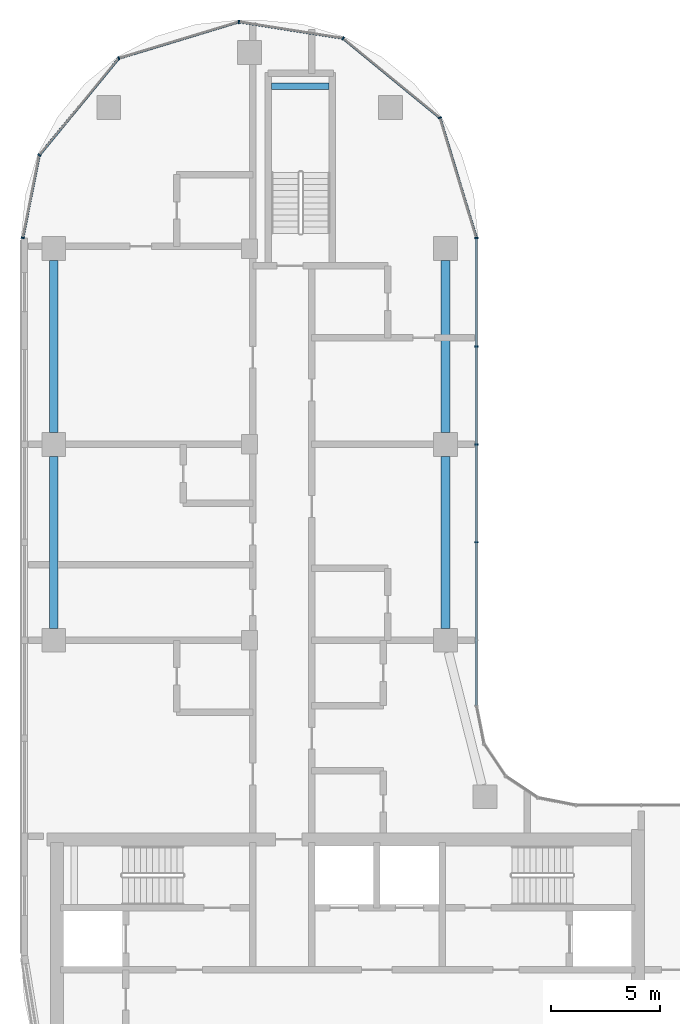
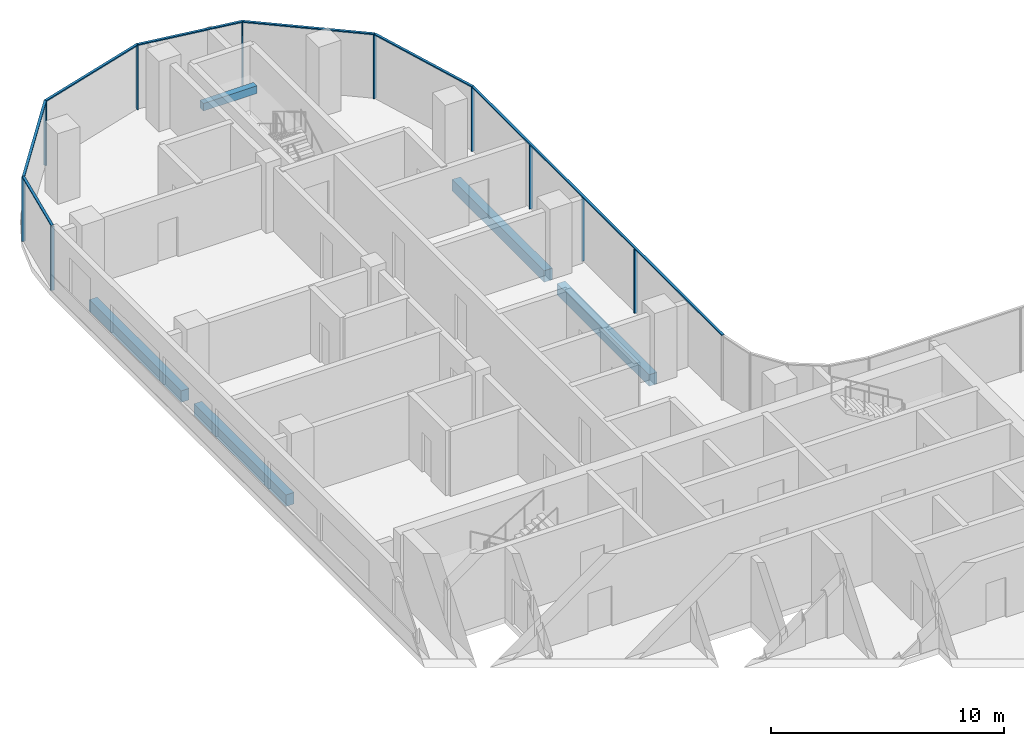
# One storey, part 5 of 23: 17 members, 5 beams, 2 elements without a shape of their own.
"""IFC4 building model written with IfcOpenShell, lengths in metres."""

from ifc_helpers import new_model, si_unit, direction, frame, origin, origin_2d, place, context, subcontext, project, spatial, rectangle, extrude, material, material_profile, profile_set, type_object, element, aggregate, save


model = new_model("IFC4")

# Units and contexts
model_context = context("Model", 3, precision=1e-05, world=origin(), true_north=direction((0.0, 1.0)))
body_context = subcontext(model_context, "Body", "Model", "MODEL_VIEW")
ifc_project = project(units=[si_unit("LENGTHUNIT", "METRE"), si_unit("AREAUNIT", "SQUARE_METRE"), si_unit("VOLUMEUNIT", "CUBIC_METRE"), si_unit("PLANEANGLEUNIT", "RADIAN"), si_unit("MASSUNIT", "GRAM", prefix="KILO")], contexts=[model_context])

# Site, building, storey
site_placement = place(None, origin())
site = spatial("IfcSite", under=ifc_project, at=site_placement, CompositionType="ELEMENT")
building_placement = place(site_placement, origin())
building = spatial("IfcBuilding", under=site, at=building_placement, Name="Ogive Portal Towers", CompositionType="ELEMENT")
storey_placement = place(building_placement, frame((0.0, 0.0, 149.60009765625)))
storey = spatial("IfcBuildingStorey", under=building, at=storey_placement, Name="L36", CompositionType="ELEMENT", Elevation=149.60009765625)

# Beam
ifc_material_1 = material(Name="Concrete C40/50", Category="concrete")
ifc_material_profile_1 = material_profile(ifc_material_1, rectangle(XDim=0.300048828125, YDim=0.39990234375, at=origin_2d()), Name="RC 300x400")
ifc_profile_set_1 = profile_set([ifc_material_profile_1], Name="Concrete C40/50")
beam_type_1 = type_object("IfcBeamType", Name="BEAM RC 300x400", PredefinedType="BEAM", material=ifc_profile_set_1)
beam_placement = place(storey_placement, frame((41.5, 73.949951171875, 1.449951171875), z_axis=(1.0, 0.0, 0.0), x_axis=(0.0, 1.0, 0.0)))
element("IfcBeam", 1, at=beam_placement, inside=storey, type_object=beam_type_1, Name="Landing beam L36", PredefinedType="BEAM", context=body_context, shape_type="SweptSolid", body=[
    extrude(rectangle(XDim=0.300048828125, YDim=0.39990234375, at=origin_2d()), origin(), (0.0, 0.0, 1.0), 2.64990234375),
])

# Curtain wall, members
ifc_material_2 = material(Name="Glass, clear low-iron insulated glazing", Category="glass")
curtain_wall_type = type_object("IfcCurtainWallType", Name="CW FRONT RIBBON 4500", PredefinedType="NOTDEFINED", material=ifc_material_2)
curtain_wall_1_placement = place(storey_placement, origin())
curtain_wall_1 = element("IfcCurtainWall", 2, at=curtain_wall_1_placement, inside=storey, type_object=curtain_wall_type, Name="A:L36:f13:cw0", PredefinedType="NOTDEFINED")
ifc_material_3 = material(Name="Aluminium 6063 anodised", Category="aluminium")
ifc_material_profile_2 = material_profile(ifc_material_3, rectangle(XDim=0.159912109375, YDim=0.06005859375, at=origin_2d()), Name="AL 60x160")
ifc_profile_set_2 = profile_set([ifc_material_profile_2], Name="Aluminium 6063 anodised")
member_type_1 = type_object("IfcMemberType", Name="CW MULLION 60x160", PredefinedType="MULLION", material=ifc_profile_set_2)
member_1_placement = place(storey_placement, frame((50.919921875, 53.0, 0.0), z_axis=(0.0, 0.0, 1.0), x_axis=(-1.0, 0.0, 0.0)))
member_1 = element("IfcMember", 3, at=member_1_placement, type_object=member_type_1, Name="mullion", PredefinedType="MULLION", context=body_context, shape_type="SweptSolid", body=[
    extrude(rectangle(XDim=0.159912109375, YDim=0.06005859375, at=origin_2d()), origin(), (0.0, 0.0, 1.0), 3.33984375),
])
member_2_placement = place(storey_placement, frame((50.919921875, 57.5, 0.0), z_axis=(0.0, 0.0, 1.0), x_axis=(-1.0, 0.0, 0.0)))
member_2 = element("IfcMember", 4, at=member_2_placement, type_object=member_type_1, Name="mullion", PredefinedType="MULLION", context=body_context, shape_type="SweptSolid", body=[
    extrude(rectangle(XDim=0.159912109375, YDim=0.06005859375, at=origin_2d()), origin(), (0.0, 0.0, 1.0), 3.33984375),
])
member_3_placement = place(storey_placement, frame((50.919921875, 62.0, 0.0), z_axis=(0.0, 0.0, 1.0), x_axis=(-1.0, 0.0, 0.0)))
member_3 = element("IfcMember", 5, at=member_3_placement, type_object=member_type_1, Name="mullion", PredefinedType="MULLION", context=body_context, shape_type="SweptSolid", body=[
    extrude(rectangle(XDim=0.159912109375, YDim=0.06005859375, at=origin_2d()), origin(), (0.0, 0.0, 1.0), 3.33984375),
])
member_4_placement = place(storey_placement, frame((50.919921875, 66.988037109375, 0.0), z_axis=(0.0, 0.0, 1.0), x_axis=(-1.0, 0.0, 0.0)))
member_4 = element("IfcMember", 6, at=member_4_placement, type_object=member_type_1, Name="mullion", PredefinedType="MULLION", context=body_context, shape_type="SweptSolid", body=[
    extrude(rectangle(XDim=0.159912109375, YDim=0.06005859375, at=origin_2d()), origin(), (0.0, 0.0, 1.0), 3.33984375),
])

curtain_wall_2_placement = place(storey_placement, origin())
curtain_wall_2 = element("IfcCurtainWall", 7, at=curtain_wall_2_placement, inside=storey, type_object=curtain_wall_type, Name="A:L36:f14:cwa", PredefinedType="NOTDEFINED")
member_5_placement = place(storey_placement, frame((49.2451171875, 72.50927734375, 0.0), z_axis=(0.0, 0.0, 1.0), x_axis=(-0.956940335732, -0.290284677254, 0.0)))
member_5 = element("IfcMember", 8, at=member_5_placement, type_object=member_type_1, Name="mullion", PredefinedType="MULLION", context=body_context, shape_type="SweptSolid", body=[
    extrude(rectangle(XDim=0.159912109375, YDim=0.06005859375, at=origin_2d()), origin(), (0.0, 0.0, 1.0), 3.33984375),
])
member_6_placement = place(storey_placement, frame((44.79296875, 76.1630859375, 0.0), z_axis=(0.0, 0.0, 1.0), x_axis=(-0.634393284164, -0.773010453363, 0.0)))
member_6 = element("IfcMember", 9, at=member_6_placement, type_object=member_type_1, Name="mullion", PredefinedType="MULLION", context=body_context, shape_type="SweptSolid", body=[
    extrude(rectangle(XDim=0.159912109375, YDim=0.06005859375, at=origin_2d()), origin(), (0.0, 0.0, 1.0), 3.33984375),
])
member_7_placement = place(storey_placement, frame((40.005615234375, 76.918212890625, 0.0), z_axis=(0.0, 0.0, 1.0), x_axis=(-0.155777466355, -0.987792174992, 0.0)))
member_7 = element("IfcMember", 10, at=member_7_placement, type_object=member_type_1, Name="mullion", PredefinedType="MULLION", context=body_context, shape_type="SweptSolid", body=[
    extrude(rectangle(XDim=0.159912109375, YDim=0.06005859375, at=origin_2d()), origin(), (0.0, 0.0, 1.0), 3.33984375),
])
member_8_placement = place(storey_placement, frame((34.49072265625, 75.2451171875, 0.0), z_axis=(0.0, 0.0, 1.0), x_axis=(0.290284677254, -0.956940335732, 0.0)))
member_8 = element("IfcMember", 11, at=member_8_placement, type_object=member_type_1, Name="mullion", PredefinedType="MULLION", context=body_context, shape_type="SweptSolid", body=[
    extrude(rectangle(XDim=0.159912109375, YDim=0.06005859375, at=origin_2d()), origin(), (0.0, 0.0, 1.0), 3.33984375),
])
member_9_placement = place(storey_placement, frame((30.835693359375, 70.79150390625, 0.0), z_axis=(0.0, 0.0, 1.0), x_axis=(0.773010453363, -0.634393284164, 0.0)))
member_9 = element("IfcMember", 12, at=member_9_placement, type_object=member_type_1, Name="mullion", PredefinedType="MULLION", context=body_context, shape_type="SweptSolid", body=[
    extrude(rectangle(XDim=0.159912109375, YDim=0.06005859375, at=origin_2d()), origin(), (0.0, 0.0, 1.0), 3.33984375),
])
member_10_placement = place(storey_placement, frame((30.080078125, 66.9921875, 0.0), z_axis=(0.0, 0.0, 1.0), x_axis=(0.980785280403, -0.195090322016, 0.0)))
member_10 = element("IfcMember", 13, at=member_10_placement, type_object=member_type_1, Name="mullion", PredefinedType="MULLION", context=body_context, shape_type="SweptSolid", body=[
    extrude(rectangle(XDim=0.159912109375, YDim=0.06005859375, at=origin_2d()), origin(), (0.0, 0.0, 1.0), 3.33984375),
])

# Member
ifc_material_profile_3 = material_profile(ifc_material_3, rectangle(XDim=0.1201171875, YDim=0.06005859375, at=origin_2d()), Name="AL 120x60")
ifc_profile_set_3 = profile_set([ifc_material_profile_3], Name="Aluminium 6063 anodised")
member_type_2 = type_object("IfcMemberType", Name="CW TRANSOM 60x120", PredefinedType="USERDEFINED", material=ifc_profile_set_3)
member_11_placement = place(storey_placement, frame((50.919921875, 45.4921875, 3.369873046875), z_axis=(0.0, 1.0, 0.0), x_axis=(-1.0, 0.0, 0.0)))
member_11 = element("IfcMember", 14, at=member_11_placement, type_object=member_type_2, Name="transom", ObjectType="TRANSOM", PredefinedType="USERDEFINED", context=body_context, shape_type="SweptSolid", body=[
    extrude(rectangle(XDim=0.1201171875, YDim=0.06005859375, at=origin_2d()), origin(), (0.0, 0.0, 1.0), 21.495849609375),
])

aggregate(curtain_wall_1, [member_11, member_1, member_2, member_3, member_4])

member_12_placement = place(storey_placement, frame((50.919921875, 66.988037109375, 3.369873046875), z_axis=(-0.290277499028, 0.956942513194, 0.0), x_axis=(-0.956942513194, -0.290277499028, 0.0)))
member_12 = element("IfcMember", 15, at=member_12_placement, type_object=member_type_2, Name="transom", ObjectType="TRANSOM", PredefinedType="USERDEFINED", context=body_context, shape_type="SweptSolid", body=[
    extrude(rectangle(XDim=0.1201171875, YDim=0.06005859375, at=origin_2d()), origin(), (0.0, 0.0, 1.0), 5.769775390625),
])

member_13_placement = place(storey_placement, frame((49.2451171875, 72.50927734375, 3.369873046875), z_axis=(-0.773008341981, 0.634395856881, 0.0), x_axis=(-0.634395856881, -0.773008341981, 0.0)))
member_13 = element("IfcMember", 16, at=member_13_placement, type_object=member_type_2, Name="transom", ObjectType="TRANSOM", PredefinedType="USERDEFINED", context=body_context, shape_type="SweptSolid", body=[
    extrude(rectangle(XDim=0.1201171875, YDim=0.06005859375, at=origin_2d()), origin(), (0.0, 0.0, 1.0), 5.759521484375),
])

member_14_placement = place(storey_placement, frame((44.79296875, 76.1630859375, 3.369873046875), z_axis=(-0.987787459497, 0.155807364589, 0.0), x_axis=(-0.155807364589, -0.987787459497, 0.0)))
member_14 = element("IfcMember", 17, at=member_14_placement, type_object=member_type_2, Name="transom", ObjectType="TRANSOM", PredefinedType="USERDEFINED", context=body_context, shape_type="SweptSolid", body=[
    extrude(rectangle(XDim=0.1201171875, YDim=0.06005859375, at=origin_2d()), origin(), (0.0, 0.0, 1.0), 4.846435546875),
])

member_15_placement = place(storey_placement, frame((40.005615234375, 76.918212890625, 3.369873046875), z_axis=(-0.956932077168, -0.290311900697, 0.0), x_axis=(0.290311900697, -0.956932077168, 0.0)))
member_15 = element("IfcMember", 18, at=member_15_placement, type_object=member_type_2, Name="transom", ObjectType="TRANSOM", PredefinedType="USERDEFINED", context=body_context, shape_type="SweptSolid", body=[
    extrude(rectangle(XDim=0.1201171875, YDim=0.06005859375, at=origin_2d()), origin(), (0.0, 0.0, 1.0), 5.76318359375),
])

member_16_placement = place(storey_placement, frame((34.49072265625, 75.2451171875, 3.369873046875), z_axis=(-0.63439777858, -0.773006764869, 0.0), x_axis=(0.773006764869, -0.63439777858, 0.0)))
member_16 = element("IfcMember", 19, at=member_16_placement, type_object=member_type_2, Name="transom", ObjectType="TRANSOM", PredefinedType="USERDEFINED", context=body_context, shape_type="SweptSolid", body=[
    extrude(rectangle(XDim=0.1201171875, YDim=0.06005859375, at=origin_2d()), origin(), (0.0, 0.0, 1.0), 5.761474609375),
])

member_17_placement = place(storey_placement, frame((30.835693359375, 70.79150390625, 3.369873046875), z_axis=(-0.195061569373, -0.980790999221, 0.0), x_axis=(0.980790999221, -0.195061569373, 0.0)))
member_17 = element("IfcMember", 20, at=member_17_placement, type_object=member_type_2, Name="transom", ObjectType="TRANSOM", PredefinedType="USERDEFINED", context=body_context, shape_type="SweptSolid", body=[
    extrude(rectangle(XDim=0.1201171875, YDim=0.06005859375, at=origin_2d()), origin(), (0.0, 0.0, 1.0), 3.873779296875),
])

aggregate(curtain_wall_2, [member_12, member_13, member_14, member_15, member_16, member_17, member_5, member_6, member_7, member_8, member_9, member_10])

# Beams
ifc_material_profile_4 = material_profile(ifc_material_1, rectangle(XDim=0.39990234375, YDim=0.60009765625, at=origin_2d()), Name="RC 400x600")
ifc_profile_set_4 = profile_set([ifc_material_profile_4], Name="Concrete C40/50")
beam_type_2 = type_object("IfcBeamType", Name="SPANDREL BEAM RC 400x600", PredefinedType="BEAM", material=ifc_profile_set_4)
for number, where, z_axis, x_axis, name in (
    (21, (31.5, 49.050048828125, -0.60009765625), (0.0, 1.0, 0.0), (-1.0, 0.0, 0.0), "Spandrel beam L36"),
    (22, (31.5, 58.050048828125, -0.60009765625), (0.0, 1.0, 0.0), (-1.0, 0.0, 0.0), "Spandrel beam L36"),
    (23, (49.5, 65.949951171875, -0.60009765625), (0.0, -1.0, 0.0), (1.0, 0.0, 0.0), "Spandrel beam L36"),
    (24, (49.5, 56.949951171875, -0.60009765625), (0.0, -1.0, 0.0), (1.0, 0.0, 0.0), "Spandrel beam L36"),
):
    element("IfcBeam", number, at=place(storey_placement, frame(where, z_axis=z_axis, x_axis=x_axis)), inside=storey, type_object=beam_type_2, Name=name, PredefinedType="BEAM", context=body_context, shape_type="SweptSolid", body=[
        extrude(rectangle(XDim=0.39990234375, YDim=0.60009765625, at=origin_2d()), origin(), (0.0, 0.0, 1.0), 7.89990234375),
    ])

save(model, "model.ifc")
